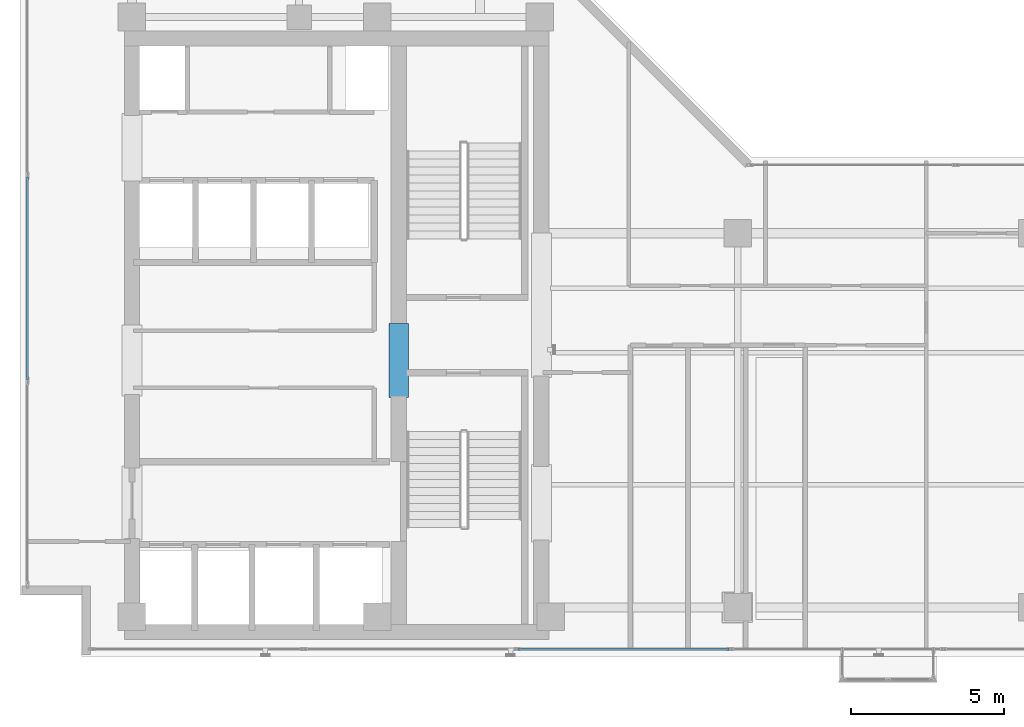
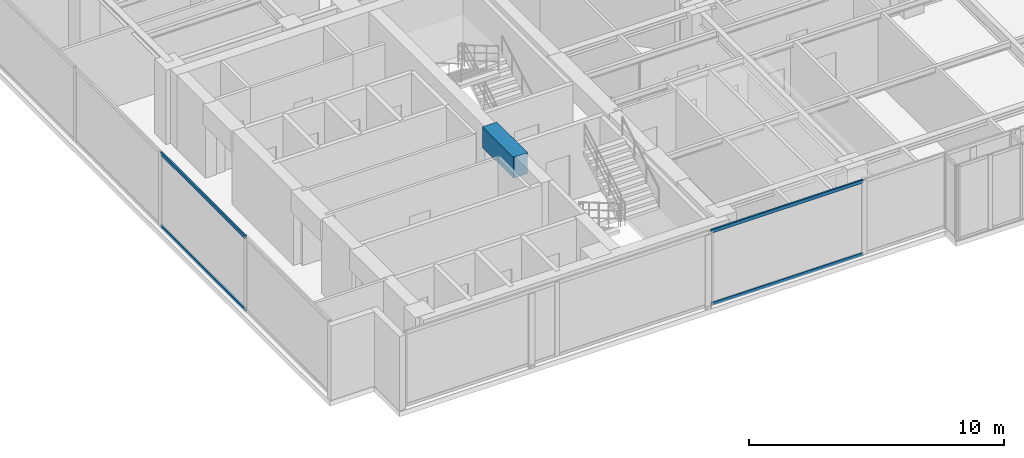
# One storey, part 3 of 22: 4 members, 1 beam, 2 elements without a shape of their own.
"""IFC4 building model written with IfcOpenShell, lengths in metres."""

from ifc_helpers import new_model, si_unit, direction, frame, origin, origin_with_axes, origin_2d, place, context, subcontext, project, spatial, rectangle, hollow_rectangle, extrude, source, transform, mapped, material, layer, layer_set, material_profile, profile_set, type_object, element, aggregate, save


model = new_model("IFC4")

# Units and contexts
model_context = context("Model", 3, precision=1e-05, world=origin(), true_north=direction((0.0, 1.0)))
body_context = subcontext(model_context, "Body", "Model", "MODEL_VIEW")
ifc_project = project(units=[si_unit("LENGTHUNIT", "METRE"), si_unit("AREAUNIT", "SQUARE_METRE"), si_unit("VOLUMEUNIT", "CUBIC_METRE"), si_unit("PLANEANGLEUNIT", "RADIAN"), si_unit("MASSUNIT", "GRAM", prefix="KILO")], contexts=[model_context])

# Site, building, storey
site_placement = place(None, origin())
site = spatial("IfcSite", under=ifc_project, at=site_placement, CompositionType="ELEMENT")
building_placement = place(site_placement, origin())
building = spatial("IfcBuilding", under=site, at=building_placement, Name="Kolvaren Waterfront Exchange", CompositionType="ELEMENT")
storey_placement = place(building_placement, frame((0.0, 0.0, 312.199951171875)))
storey = spatial("IfcBuildingStorey", under=building, at=storey_placement, Name="L80", CompositionType="ELEMENT", Elevation=312.199951171875)

# Beam
ifc_material_1 = material(Name="Concrete C60/75", Category="concrete")
ifc_material_profile_1 = material_profile(ifc_material_1, rectangle(XDim=0.64990234375, YDim=1.0, at=origin_2d()), Name="RC-CB-1000x650")
ifc_profile_set_1 = profile_set([ifc_material_profile_1], Name="Concrete C60/75")
beam_type = type_object("IfcBeamType", Name="STR-CB-1000", PredefinedType="SPANDREL", material=ifc_profile_set_1)
beam_placement = place(storey_placement, frame((16.14990234375, 12.0400390625, 3.06005859375), z_axis=(0.0, 1.0, 0.0), x_axis=(-1.0, 0.0, 0.0)))
element("IfcBeam", 1, at=beam_placement, inside=storey, type_object=beam_type, Name="L80 core coupling beam 6", PredefinedType="SPANDREL", context=body_context, shape_type="SweptSolid", body=[
    extrude(rectangle(XDim=0.64990234375, YDim=1.0, at=origin_2d()), origin(), (0.0, 0.0, 1.0), 2.419921875),
])

# Curtain wall, members
ifc_material_2 = material(Name="Anodised bronze aluminium 6063-T6", Category="aluminium")
ifc_layer_1 = layer(ifc_material_2, 0.219970703125, Name="Anodised bronze aluminium 6063-T6")
ifc_layer_set_1 = layer_set([ifc_layer_1], Name="Anodised bronze aluminium 6063-T6")
curtain_wall_type_1 = type_object("IfcCurtainWallType", Name="ARC-CW-SYS1", PredefinedType="USERDEFINED", material=ifc_layer_set_1)
curtain_wall_1_placement = place(storey_placement, origin())
curtain_wall_1 = element("IfcCurtainWall", 2, at=curtain_wall_1_placement, inside=storey, type_object=curtain_wall_type_1, Name="L80 stick curtain wall CW1 (CW-L80-S)", ObjectType="STICK CURTAIN WALL", PredefinedType="USERDEFINED")
ifc_material_3 = material(Name="Anodised aluminium 6063-T6", Category="aluminium")
ifc_material_profile_2 = material_profile(ifc_material_3, hollow_rectangle(XDim=0.074951171875, YDim=0.159912109375, WallThickness=0.00439453125, at=origin_2d()), Name="ALU-TRN-160x75x4.5")
ifc_profile_set_2 = profile_set([ifc_material_profile_2], Name="Anodised aluminium 6063-T6")
member_type = type_object("IfcMemberType", Name="ARC-CWT-160", PredefinedType="USERDEFINED", material=ifc_profile_set_2)
shared_shape_1 = source(origin_with_axes(), body_context, "Body", "SweptSolid", [
    extrude(hollow_rectangle(XDim=0.074951171875, YDim=0.159912109375, WallThickness=0.00439453125, at=origin_2d()), origin(), (0.0, 0.0, 1.0), 6.87353515625),
])
member_1_placement = place(storey_placement, frame((20.047119140625, 3.840087890625, 0.03759765625), z_axis=(1.0, 0.0, 0.0), x_axis=(0.0, 1.0, 0.0)))
member_1 = element("IfcMember", 3, at=member_1_placement, type_object=member_type, Name="CW1 transom 3.1", ObjectType="TRANSOM", PredefinedType="USERDEFINED", context=body_context, shape_type="MappedRepresentation", body=[
    mapped(shared_shape_1, transform((0.0, 0.0, 0.0), x_axis=(1.0, 0.0, 0.0), y_axis=(0.0, 1.0, 0.0), z_axis=(0.0, 0.0, 1.0), scale=1.0)),
])
member_2_placement = place(storey_placement, frame((20.047119140625, 3.840087890625, 3.5224609375), z_axis=(1.0, 0.0, 0.0), x_axis=(0.0, 1.0, 0.0)))
member_2 = element("IfcMember", 4, at=member_2_placement, type_object=member_type, Name="CW1 transom 3.2", ObjectType="TRANSOM", PredefinedType="USERDEFINED", context=body_context, shape_type="MappedRepresentation", body=[
    mapped(shared_shape_1, transform((0.0, 0.0, 0.0), x_axis=(1.0, 0.0, 0.0), y_axis=(0.0, 1.0, 0.0), z_axis=(0.0, 0.0, 1.0), scale=1.0)),
])
aggregate(curtain_wall_1, [member_1, member_2])

ifc_layer_2 = layer(ifc_material_3, 0.219970703125, Name="Anodised aluminium 6063-T6")
ifc_layer_set_2 = layer_set([ifc_layer_2], Name="Anodised aluminium 6063-T6")
curtain_wall_type_2 = type_object("IfcCurtainWallType", Name="ARC-CW-SYS2", PredefinedType="USERDEFINED", material=ifc_layer_set_2)
curtain_wall_2_placement = place(storey_placement, origin())
curtain_wall_2 = element("IfcCurtainWall", 5, at=curtain_wall_2_placement, inside=storey, type_object=curtain_wall_type_2, Name="L80 stick curtain wall CW2 (CW-L80-W)", ObjectType="STICK CURTAIN WALL", PredefinedType="USERDEFINED")
shared_shape_2 = source(origin_with_axes(), body_context, "Body", "SweptSolid", [
    extrude(hollow_rectangle(XDim=0.074951171875, YDim=0.159912109375, WallThickness=0.00439453125, at=origin_2d()), origin(), (0.0, 0.0, 1.0), 6.606689453125),
])
member_3_placement = place(storey_placement, frame((4.0400390625, 12.626953125, 0.03759765625), z_axis=(0.0, 1.0, 0.0), x_axis=(-1.0, 0.0, 0.0)))
member_3 = element("IfcMember", 6, at=member_3_placement, type_object=member_type, Name="CW2 transom 2.1", ObjectType="TRANSOM", PredefinedType="USERDEFINED", context=body_context, shape_type="MappedRepresentation", body=[
    mapped(shared_shape_2, transform((0.0, 0.0, 0.0), x_axis=(1.0, 0.0, 0.0), y_axis=(0.0, 1.0, 0.0), z_axis=(0.0, 0.0, 1.0), scale=1.0)),
])
member_4_placement = place(storey_placement, frame((4.0400390625, 12.626953125, 3.5224609375), z_axis=(0.0, 1.0, 0.0), x_axis=(-1.0, 0.0, 0.0)))
member_4 = element("IfcMember", 7, at=member_4_placement, type_object=member_type, Name="CW2 transom 2.2", ObjectType="TRANSOM", PredefinedType="USERDEFINED", context=body_context, shape_type="MappedRepresentation", body=[
    mapped(shared_shape_2, transform((0.0, 0.0, 0.0), x_axis=(1.0, 0.0, 0.0), y_axis=(0.0, 1.0, 0.0), z_axis=(0.0, 0.0, 1.0), scale=1.0)),
])
aggregate(curtain_wall_2, [member_3, member_4])

save(model, "model.ifc")
